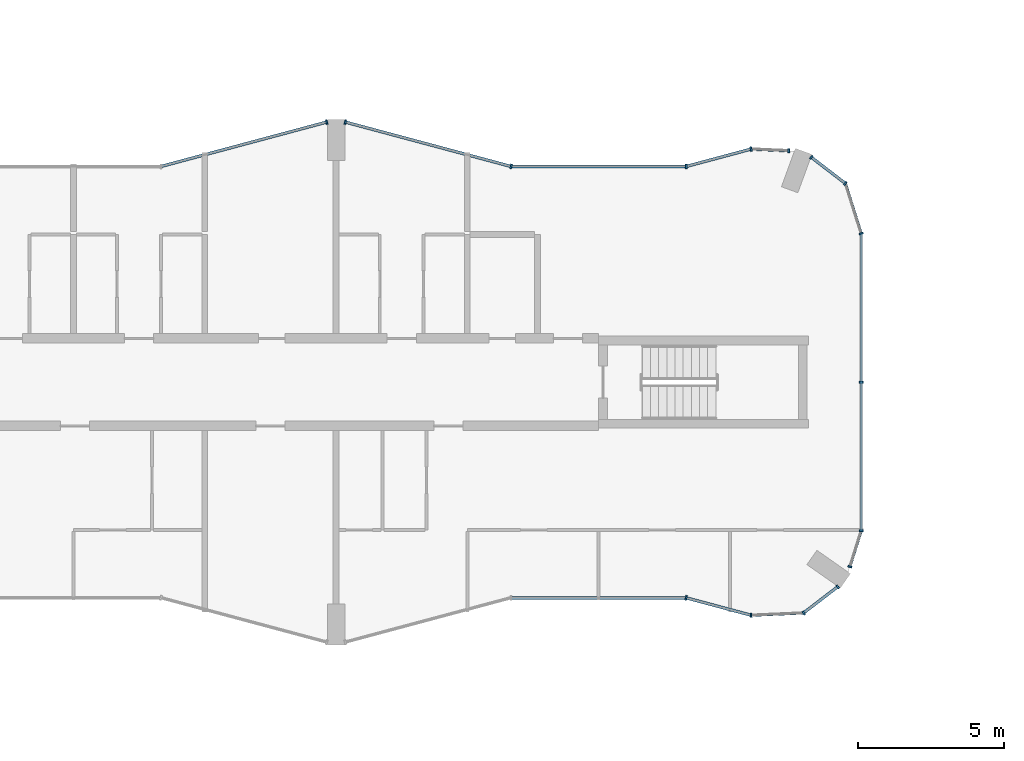
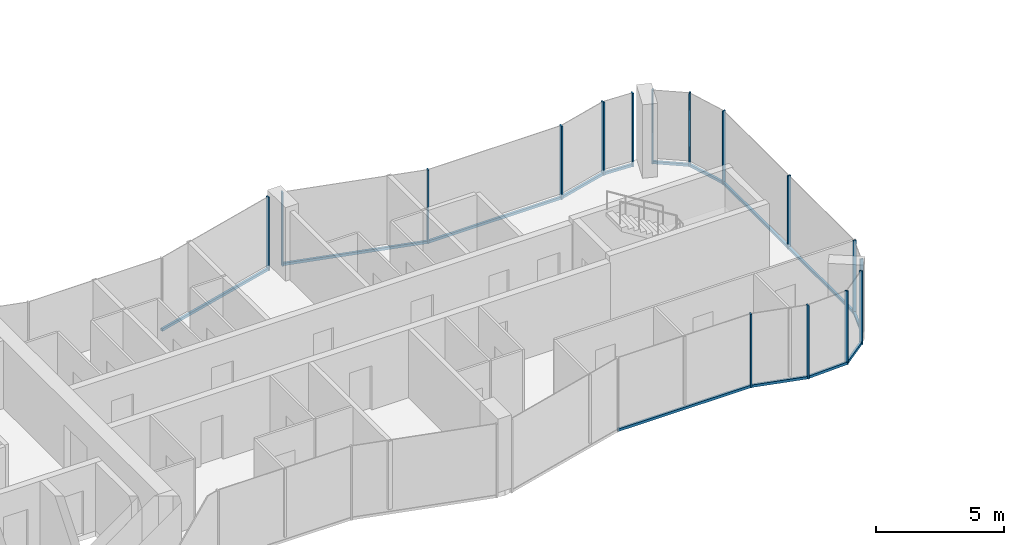
# One storey, part 5 of 22: 29 members, 13 elements without a shape of their own.
"""IFC4 building model written with IfcOpenShell, lengths in metres."""

from ifc_helpers import new_model, si_unit, direction, frame, origin, origin_2d, place, context, subcontext, project, spatial, rectangle, extrude, material, layer, layer_set, material_profile, profile_set, type_object, element, aggregate, save


model = new_model("IFC4")

# Units and contexts
model_context = context("Model", 3, precision=1e-05, world=origin(), true_north=direction((0.0, 1.0)))
body_context = subcontext(model_context, "Body", "Model", "MODEL_VIEW")
ifc_project = project(units=[si_unit("LENGTHUNIT", "METRE"), si_unit("AREAUNIT", "SQUARE_METRE"), si_unit("VOLUMEUNIT", "CUBIC_METRE"), si_unit("PLANEANGLEUNIT", "RADIAN"), si_unit("MASSUNIT", "GRAM", prefix="KILO")], contexts=[model_context])

# Site, building, storey
site_placement = place(None, origin())
site = spatial("IfcSite", under=ifc_project, at=site_placement, CompositionType="ELEMENT")
building_placement = place(site_placement, origin())
building = spatial("IfcBuilding", under=site, at=building_placement, Name="Plateau Cross Towers", CompositionType="ELEMENT")
storey_placement = place(building_placement, frame((0.0, 0.0, 102.800048828125)))
storey = spatial("IfcBuildingStorey", under=building, at=storey_placement, Name="L26", CompositionType="ELEMENT", Elevation=102.800048828125)

# Curtain wall, member
ifc_material_1 = material(Name="Dark low-iron glass", Category="glass")
ifc_layer_1 = layer(ifc_material_1, 0.239990234375)
ifc_layer_set_1 = layer_set([ifc_layer_1], Name="Dark low-iron glass")
curtain_wall_type_1 = type_object("IfcCurtainWallType", Name="Curtain wall flush unitised CW-B", PredefinedType="NOTDEFINED", material=ifc_layer_set_1)
curtain_wall_1_placement = place(storey_placement, origin())
curtain_wall_1 = element("IfcCurtainWall", 1, at=curtain_wall_1_placement, inside=storey, type_object=curtain_wall_type_1, Name="ENV/A/L26/A502_10", PredefinedType="NOTDEFINED")
ifc_material_2 = material(Name="Black anodised aluminium", Category="aluminium")
ifc_material_profile_1 = material_profile(ifc_material_2, rectangle(XDim=0.06005859375, YDim=0.139892578125, at=origin_2d()), Name="MULLION 60x140")
ifc_profile_set_1 = profile_set([ifc_material_profile_1], Name="Black anodised aluminium")
member_type_1 = type_object("IfcMemberType", Name="Mullion 60x140 flush unitised", PredefinedType="MULLION", material=ifc_profile_set_1)
member_1_placement = place(storey_placement, frame((50.223876953125, 1.01123046875, -0.25), z_axis=(0.0, 0.0, 1.0), x_axis=(0.999043701491, 0.043722791671, 0.0)))
member_1 = element("IfcMember", 2, at=member_1_placement, type_object=member_type_1, Name="CW-B mullion 1", PredefinedType="MULLION", context=body_context, shape_type="SweptSolid", body=[
    extrude(rectangle(XDim=0.06005859375, YDim=0.139892578125, at=origin_2d()), origin(), (0.0, 0.0, 1.0), 3.5),
])

# Curtain wall, members
curtain_wall_2_placement = place(storey_placement, origin())
curtain_wall_2 = element("IfcCurtainWall", 3, at=curtain_wall_2_placement, inside=storey, type_object=curtain_wall_type_1, Name="ENV/A/L26/A520_11", PredefinedType="NOTDEFINED")
member_2_placement = place(storey_placement, frame((52.0263671875, 1.090087890625, -0.25), z_axis=(0.0, 0.0, 1.0), x_axis=(0.793315514529, 0.608810721331, 0.0)))
member_2 = element("IfcMember", 4, at=member_2_placement, type_object=member_type_1, Name="CW-B mullion 1", PredefinedType="MULLION", context=body_context, shape_type="SweptSolid", body=[
    extrude(rectangle(XDim=0.06005859375, YDim=0.139892578125, at=origin_2d()), origin(), (0.0, 0.0, 1.0), 3.5),
])
member_3_placement = place(storey_placement, frame((53.193603515625, 1.986083984375, -0.25), z_axis=(0.0, 0.0, 1.0), x_axis=(0.793315514529, 0.608810721331, 0.0)))
member_3 = element("IfcMember", 5, at=member_3_placement, type_object=member_type_1, Name="CW-B mullion 2", PredefinedType="MULLION", context=body_context, shape_type="SweptSolid", body=[
    extrude(rectangle(XDim=0.06005859375, YDim=0.139892578125, at=origin_2d()), origin(), (0.0, 0.0, 1.0), 3.5),
])

# Curtain wall, member
curtain_wall_3_placement = place(storey_placement, origin())
curtain_wall_3 = element("IfcCurtainWall", 6, at=curtain_wall_3_placement, inside=storey, type_object=curtain_wall_type_1, Name="ENV/A/L26/A536_27", PredefinedType="NOTDEFINED")
member_4_placement = place(storey_placement, frame((53.611083984375, 2.67529296875, -0.25), z_axis=(0.0, 0.0, 1.0), x_axis=(0.300686174994, 0.95372313811, 0.0)))
member_4 = element("IfcMember", 7, at=member_4_placement, type_object=member_type_1, Name="CW-B mullion 1", PredefinedType="MULLION", context=body_context, shape_type="SweptSolid", body=[
    extrude(rectangle(XDim=0.06005859375, YDim=0.139892578125, at=origin_2d()), origin(), (0.0, 0.0, 1.0), 3.5),
])

# Curtain wall, members
curtain_wall_4_placement = place(storey_placement, origin())
curtain_wall_4 = element("IfcCurtainWall", 8, at=curtain_wall_4_placement, inside=storey, type_object=curtain_wall_type_1, Name="ENV/A/L26/A540_39", PredefinedType="NOTDEFINED")
member_5_placement = place(storey_placement, frame((54.0, 3.9091796875, -0.25), z_axis=(0.0, 0.0, 1.0), x_axis=(0.0, 1.0, 0.0)))
member_5 = element("IfcMember", 9, at=member_5_placement, type_object=member_type_1, Name="CW-B mullion 1", PredefinedType="MULLION", context=body_context, shape_type="SweptSolid", body=[
    extrude(rectangle(XDim=0.06005859375, YDim=0.139892578125, at=origin_2d()), origin(), (0.0, 0.0, 1.0), 3.5),
])
member_6_placement = place(storey_placement, frame((54.0, 9.0, -0.25), z_axis=(0.0, 0.0, 1.0), x_axis=(0.0, 1.0, 0.0)))
member_6 = element("IfcMember", 10, at=member_6_placement, type_object=member_type_1, Name="CW-B mullion 2", PredefinedType="MULLION", context=body_context, shape_type="SweptSolid", body=[
    extrude(rectangle(XDim=0.06005859375, YDim=0.139892578125, at=origin_2d()), origin(), (0.0, 0.0, 1.0), 3.5),
])

# Curtain wall, member
curtain_wall_5_placement = place(storey_placement, origin())
curtain_wall_5 = element("IfcCurtainWall", 11, at=curtain_wall_5_placement, inside=storey, type_object=curtain_wall_type_1, Name="ENV/A/L26/A540_141", PredefinedType="NOTDEFINED")
member_7_placement = place(storey_placement, frame((54.0, 14.0908203125, -0.25), z_axis=(0.0, 0.0, 1.0), x_axis=(-0.300686174994, 0.95372313811, 0.0)))
member_7 = element("IfcMember", 12, at=member_7_placement, type_object=member_type_1, Name="CW-B mullion 1", PredefinedType="MULLION", context=body_context, shape_type="SweptSolid", body=[
    extrude(rectangle(XDim=0.06005859375, YDim=0.139892578125, at=origin_2d()), origin(), (0.0, 0.0, 1.0), 3.5),
])

# Curtain wall, members
curtain_wall_6_placement = place(storey_placement, origin())
curtain_wall_6 = element("IfcCurtainWall", 13, at=curtain_wall_6_placement, inside=storey, type_object=curtain_wall_type_1, Name="ENV/A/L26/A535_158", PredefinedType="NOTDEFINED")
member_8_placement = place(storey_placement, frame((53.45751953125, 15.8115234375, -0.25), z_axis=(0.0, 0.0, 1.0), x_axis=(-0.793315514529, 0.608810721331, 0.0)))
member_8 = element("IfcMember", 14, at=member_8_placement, type_object=member_type_1, Name="CW-B mullion 1", PredefinedType="MULLION", context=body_context, shape_type="SweptSolid", body=[
    extrude(rectangle(XDim=0.06005859375, YDim=0.139892578125, at=origin_2d()), origin(), (0.0, 0.0, 1.0), 3.5),
])
member_9_placement = place(storey_placement, frame((52.290283203125, 16.707275390625, -0.25), z_axis=(0.0, 0.0, 1.0), x_axis=(-0.793315514529, 0.608810721331, 0.0)))
member_9 = element("IfcMember", 15, at=member_9_placement, type_object=member_type_1, Name="CW-B mullion 2", PredefinedType="MULLION", context=body_context, shape_type="SweptSolid", body=[
    extrude(rectangle(XDim=0.06005859375, YDim=0.139892578125, at=origin_2d()), origin(), (0.0, 0.0, 1.0), 3.5),
])

# Curtain wall, member
curtain_wall_7_placement = place(storey_placement, origin())
curtain_wall_7 = element("IfcCurtainWall", 16, at=curtain_wall_7_placement, inside=storey, type_object=curtain_wall_type_1, Name="ENV/A/L26/A515_169", PredefinedType="NOTDEFINED")
member_10_placement = place(storey_placement, frame((51.516357421875, 16.93212890625, -0.25), z_axis=(0.0, 0.0, 1.0), x_axis=(-0.999043701491, 0.043722791671, 0.0)))
member_10 = element("IfcMember", 17, at=member_10_placement, type_object=member_type_1, Name="CW-B mullion 1", PredefinedType="MULLION", context=body_context, shape_type="SweptSolid", body=[
    extrude(rectangle(XDim=0.06005859375, YDim=0.139892578125, at=origin_2d()), origin(), (0.0, 0.0, 1.0), 3.5),
])

ifc_layer_2 = layer(ifc_material_1, 0.260009765625)
ifc_layer_set_2 = layer_set([ifc_layer_2], Name="Dark low-iron glass")
curtain_wall_type_2 = type_object("IfcCurtainWallType", Name="Curtain wall fluted unitised CW-A", PredefinedType="NOTDEFINED", material=ifc_layer_set_2)
curtain_wall_8_placement = place(storey_placement, origin())
curtain_wall_8 = element("IfcCurtainWall", 18, at=curtain_wall_8_placement, inside=storey, type_object=curtain_wall_type_2, Name="ENV/A/L26/A480_16", PredefinedType="NOTDEFINED")
ifc_material_profile_2 = material_profile(ifc_material_2, rectangle(XDim=0.06005859375, YDim=0.159912109375, at=origin_2d()), Name="MULLION 60x160")
ifc_profile_set_2 = profile_set([ifc_material_profile_2], Name="Black anodised aluminium")
member_type_2 = type_object("IfcMemberType", Name="Mullion 60x160 fluted unitised", PredefinedType="MULLION", material=ifc_profile_set_2)
member_11_placement = place(storey_placement, frame((48.0, 1.60693359375, -0.25), z_axis=(0.0, 0.0, 1.0), x_axis=(0.965957962328, -0.258699081978, 0.0)))
member_11 = element("IfcMember", 19, at=member_11_placement, type_object=member_type_2, Name="CW-A mullion 1", PredefinedType="MULLION", context=body_context, shape_type="SweptSolid", body=[
    extrude(rectangle(XDim=0.06005859375, YDim=0.159912109375, at=origin_2d()), origin(), (0.0, 0.0, 1.0), 3.5),
])

curtain_wall_9_placement = place(storey_placement, origin())
curtain_wall_9 = element("IfcCurtainWall", 20, at=curtain_wall_9_placement, inside=storey, type_object=curtain_wall_type_2, Name="ENV/A/L26/A502_170", PredefinedType="NOTDEFINED")
member_12_placement = place(storey_placement, frame((50.223876953125, 16.98876953125, -0.25), z_axis=(0.0, 0.0, 1.0), x_axis=(-0.965957962328, -0.258699081978, 0.0)))
member_12 = element("IfcMember", 21, at=member_12_placement, type_object=member_type_2, Name="CW-A mullion 1", PredefinedType="MULLION", context=body_context, shape_type="SweptSolid", body=[
    extrude(rectangle(XDim=0.06005859375, YDim=0.159912109375, at=origin_2d()), origin(), (0.0, 0.0, 1.0), 3.5),
])

curtain_wall_10_placement = place(storey_placement, origin())
curtain_wall_10 = element("IfcCurtainWall", 22, at=curtain_wall_10_placement, inside=storey, type_object=curtain_wall_type_2, Name="ENV/A/L26/A480_164", PredefinedType="NOTDEFINED")
member_13_placement = place(storey_placement, frame((48.0, 16.39306640625, -0.25), z_axis=(0.0, 0.0, 1.0), x_axis=(-1.0, 0.0, 0.0)))
member_13 = element("IfcMember", 23, at=member_13_placement, type_object=member_type_2, Name="CW-A mullion 1", PredefinedType="MULLION", context=body_context, shape_type="SweptSolid", body=[
    extrude(rectangle(XDim=0.06005859375, YDim=0.159912109375, at=origin_2d()), origin(), (0.0, 0.0, 1.0), 3.5),
])

# Curtain wall, members
curtain_wall_11_placement = place(storey_placement, origin())
curtain_wall_11 = element("IfcCurtainWall", 24, at=curtain_wall_11_placement, inside=storey, type_object=curtain_wall_type_2, Name="ENV/A/L26/A420_164", PredefinedType="NOTDEFINED")
member_14_placement = place(storey_placement, frame((42.0, 16.39306640625, -0.25), z_axis=(0.0, 0.0, 1.0), x_axis=(-0.965957983404, 0.258699003279, 0.0)))
member_14 = element("IfcMember", 25, at=member_14_placement, type_object=member_type_2, Name="CW-A mullion 1", PredefinedType="MULLION", context=body_context, shape_type="SweptSolid", body=[
    extrude(rectangle(XDim=0.06005859375, YDim=0.159912109375, at=origin_2d()), origin(), (0.0, 0.0, 1.0), 3.5),
])
member_15_placement = place(storey_placement, frame((36.31787109375, 17.914794921875, -0.25), z_axis=(0.0, 0.0, 1.0), x_axis=(-0.965957983404, 0.258699003279, 0.0)))
member_15 = element("IfcMember", 26, at=member_15_placement, type_object=member_type_2, Name="CW-A mullion 2", PredefinedType="MULLION", context=body_context, shape_type="SweptSolid", body=[
    extrude(rectangle(XDim=0.06005859375, YDim=0.159912109375, at=origin_2d()), origin(), (0.0, 0.0, 1.0), 3.5),
])

# Curtain wall, member
curtain_wall_12_placement = place(storey_placement, origin())
curtain_wall_12 = element("IfcCurtainWall", 27, at=curtain_wall_12_placement, inside=storey, type_object=curtain_wall_type_2, Name="ENV/A/L26/A357_179", PredefinedType="NOTDEFINED")
member_16_placement = place(storey_placement, frame((35.68212890625, 17.914794921875, -0.25), z_axis=(0.0, 0.0, 1.0), x_axis=(-0.965957983404, -0.258699003279, 0.0)))
member_16 = element("IfcMember", 28, at=member_16_placement, type_object=member_type_2, Name="CW-A mullion 1", PredefinedType="MULLION", context=body_context, shape_type="SweptSolid", body=[
    extrude(rectangle(XDim=0.06005859375, YDim=0.159912109375, at=origin_2d()), origin(), (0.0, 0.0, 1.0), 3.5),
])

# Member
ifc_material_profile_3 = material_profile(ifc_material_2, rectangle(XDim=0.10009765625, YDim=0.1201171875, at=origin_2d()), Name="TRANSOM 100x120")
ifc_profile_set_3 = profile_set([ifc_material_profile_3], Name="Black anodised aluminium")
member_type_3 = type_object("IfcMemberType", Name="Transom 100x120 flush unitised", PredefinedType="USERDEFINED", material=ifc_profile_set_3)
member_17_placement = place(storey_placement, frame((50.223876953125, 1.01123046875, -0.18994140625), z_axis=(0.999044377355, 0.043707345779, 0.0), x_axis=(-0.043707345779, 0.999044377355, 0.0)))
member_17 = element("IfcMember", 29, at=member_17_placement, type_object=member_type_3, Name="CW-B transom", ObjectType="TRANSOM", PredefinedType="USERDEFINED", context=body_context, shape_type="SweptSolid", body=[
    extrude(rectangle(XDim=0.10009765625, YDim=0.1201171875, at=origin_2d()), origin(), (0.0, 0.0, 1.0), 1.80419921875),
])

aggregate(curtain_wall_1, [member_1, member_17])

member_18_placement = place(storey_placement, frame((52.0263671875, 1.090087890625, -0.18994140625), z_axis=(0.793240368515, 0.608908628415, 0.0), x_axis=(-0.608908628415, 0.793240368515, 0.0)))
member_18 = element("IfcMember", 30, at=member_18_placement, type_object=member_type_3, Name="CW-B transom", ObjectType="TRANSOM", PredefinedType="USERDEFINED", context=body_context, shape_type="SweptSolid", body=[
    extrude(rectangle(XDim=0.10009765625, YDim=0.1201171875, at=origin_2d()), origin(), (0.0, 0.0, 1.0), 1.471435546875),
])

aggregate(curtain_wall_2, [member_2, member_3, member_18])

member_19_placement = place(storey_placement, frame((53.611083984375, 2.67529296875, -0.18994140625), z_axis=(0.300616528216, 0.953745093284, 0.0), x_axis=(-0.953745093284, 0.300616528216, 0.0)))
member_19 = element("IfcMember", 31, at=member_19_placement, type_object=member_type_3, Name="CW-B transom", ObjectType="TRANSOM", PredefinedType="USERDEFINED", context=body_context, shape_type="SweptSolid", body=[
    extrude(rectangle(XDim=0.10009765625, YDim=0.1201171875, at=origin_2d()), origin(), (0.0, 0.0, 1.0), 1.293701171875),
])

aggregate(curtain_wall_3, [member_4, member_19])

member_20_placement = place(storey_placement, frame((54.0, 3.9091796875, -0.18994140625), z_axis=(0.0, 1.0, 0.0), x_axis=(-1.0, 0.0, 0.0)))
member_20 = element("IfcMember", 32, at=member_20_placement, type_object=member_type_3, Name="CW-B transom", ObjectType="TRANSOM", PredefinedType="USERDEFINED", context=body_context, shape_type="SweptSolid", body=[
    extrude(rectangle(XDim=0.10009765625, YDim=0.1201171875, at=origin_2d()), origin(), (0.0, 0.0, 1.0), 10.181640625),
])

aggregate(curtain_wall_4, [member_5, member_6, member_20])

member_21_placement = place(storey_placement, frame((54.0, 14.0908203125, -0.18994140625), z_axis=(-0.30067799945, 0.953725715626, 0.0), x_axis=(-0.953725715626, -0.30067799945, 0.0)))
member_21 = element("IfcMember", 33, at=member_21_placement, type_object=member_type_3, Name="CW-B transom", ObjectType="TRANSOM", PredefinedType="USERDEFINED", context=body_context, shape_type="SweptSolid", body=[
    extrude(rectangle(XDim=0.10009765625, YDim=0.1201171875, at=origin_2d()), origin(), (0.0, 0.0, 1.0), 1.80419921875),
])

aggregate(curtain_wall_5, [member_7, member_21])

member_22_placement = place(storey_placement, frame((53.45751953125, 15.8115234375, -0.18994140625), z_axis=(-0.793320508571, 0.608804213751, 0.0), x_axis=(-0.608804213751, -0.793320508571, 0.0)))
member_22 = element("IfcMember", 34, at=member_22_placement, type_object=member_type_3, Name="CW-B transom", ObjectType="TRANSOM", PredefinedType="USERDEFINED", context=body_context, shape_type="SweptSolid", body=[
    extrude(rectangle(XDim=0.10009765625, YDim=0.1201171875, at=origin_2d()), origin(), (0.0, 0.0, 1.0), 1.471435546875),
])

aggregate(curtain_wall_6, [member_8, member_9, member_22])

member_23_placement = place(storey_placement, frame((51.516357421875, 16.93212890625, -0.18994140625), z_axis=(-0.999041144614, 0.043781175963, 0.0), x_axis=(-0.043781175963, -0.999041144614, 0.0)))
member_23 = element("IfcMember", 35, at=member_23_placement, type_object=member_type_3, Name="CW-B transom", ObjectType="TRANSOM", PredefinedType="USERDEFINED", context=body_context, shape_type="SweptSolid", body=[
    extrude(rectangle(XDim=0.10009765625, YDim=0.1201171875, at=origin_2d()), origin(), (0.0, 0.0, 1.0), 1.293701171875),
])

aggregate(curtain_wall_7, [member_10, member_23])

# Curtain wall, member
curtain_wall_13_placement = place(storey_placement, origin())
curtain_wall_13 = element("IfcCurtainWall", 36, at=curtain_wall_13_placement, inside=storey, type_object=curtain_wall_type_2, Name="ENV/A/L26/A420_16", PredefinedType="NOTDEFINED")
ifc_material_profile_4 = material_profile(ifc_material_2, rectangle(XDim=0.10009765625, YDim=0.1201171875, at=origin_2d()), Name="TRANSOM 100x120")
ifc_profile_set_4 = profile_set([ifc_material_profile_4], Name="Black anodised aluminium")
member_type_4 = type_object("IfcMemberType", Name="Transom 100x120 fluted unitised", PredefinedType="USERDEFINED", material=ifc_profile_set_4)
member_24_placement = place(storey_placement, frame((42.0, 1.60693359375, -0.18994140625), z_axis=(1.0, 0.0, 0.0), x_axis=(0.0, 1.0, 0.0)))
member_24 = element("IfcMember", 37, at=member_24_placement, type_object=member_type_4, Name="CW-A transom", ObjectType="TRANSOM", PredefinedType="USERDEFINED", context=body_context, shape_type="SweptSolid", body=[
    extrude(rectangle(XDim=0.10009765625, YDim=0.1201171875, at=origin_2d()), origin(), (0.0, 0.0, 1.0), 6.0),
])
aggregate(curtain_wall_13, [member_24])

# Member
member_25_placement = place(storey_placement, frame((48.0, 1.60693359375, -0.18994140625), z_axis=(0.965945685136, -0.258744919501, 0.0), x_axis=(0.258744919501, 0.965945685136, 0.0)))
member_25 = element("IfcMember", 38, at=member_25_placement, type_object=member_type_4, Name="CW-A transom", ObjectType="TRANSOM", PredefinedType="USERDEFINED", context=body_context, shape_type="SweptSolid", body=[
    extrude(rectangle(XDim=0.10009765625, YDim=0.1201171875, at=origin_2d()), origin(), (0.0, 0.0, 1.0), 2.30224609375),
])

aggregate(curtain_wall_8, [member_11, member_25])

member_26_placement = place(storey_placement, frame((50.223876953125, 16.98876953125, -0.18994140625), z_axis=(-0.965945685136, -0.258744919501, 0.0), x_axis=(0.258744919501, -0.965945685136, 0.0)))
member_26 = element("IfcMember", 39, at=member_26_placement, type_object=member_type_4, Name="CW-A transom", ObjectType="TRANSOM", PredefinedType="USERDEFINED", context=body_context, shape_type="SweptSolid", body=[
    extrude(rectangle(XDim=0.10009765625, YDim=0.1201171875, at=origin_2d()), origin(), (0.0, 0.0, 1.0), 2.30224609375),
])

aggregate(curtain_wall_9, [member_12, member_26])

member_27_placement = place(storey_placement, frame((48.0, 16.39306640625, -0.18994140625), z_axis=(-1.0, 0.0, 0.0), x_axis=(0.0, -1.0, 0.0)))
member_27 = element("IfcMember", 40, at=member_27_placement, type_object=member_type_4, Name="CW-A transom", ObjectType="TRANSOM", PredefinedType="USERDEFINED", context=body_context, shape_type="SweptSolid", body=[
    extrude(rectangle(XDim=0.10009765625, YDim=0.1201171875, at=origin_2d()), origin(), (0.0, 0.0, 1.0), 6.0),
])

aggregate(curtain_wall_10, [member_13, member_27])

member_28_placement = place(storey_placement, frame((42.0, 16.39306640625, -0.18994140625), z_axis=(-0.965959534794, 0.258693210465, 0.0), x_axis=(-0.258693210465, -0.965959534794, 0.0)))
member_28 = element("IfcMember", 41, at=member_28_placement, type_object=member_type_4, Name="CW-A transom", ObjectType="TRANSOM", PredefinedType="USERDEFINED", context=body_context, shape_type="SweptSolid", body=[
    extrude(rectangle(XDim=0.10009765625, YDim=0.1201171875, at=origin_2d()), origin(), (0.0, 0.0, 1.0), 5.88232421875),
])

aggregate(curtain_wall_11, [member_14, member_15, member_28])

member_29_placement = place(storey_placement, frame((35.68212890625, 17.914794921875, -0.18994140625), z_axis=(-0.965959534794, -0.258693210465, 0.0), x_axis=(0.258693210465, -0.965959534794, 0.0)))
member_29 = element("IfcMember", 42, at=member_29_placement, type_object=member_type_4, Name="CW-A transom", ObjectType="TRANSOM", PredefinedType="USERDEFINED", context=body_context, shape_type="SweptSolid", body=[
    extrude(rectangle(XDim=0.10009765625, YDim=0.1201171875, at=origin_2d()), origin(), (0.0, 0.0, 1.0), 5.88232421875),
])

aggregate(curtain_wall_12, [member_16, member_29])

save(model, "model.ifc")
